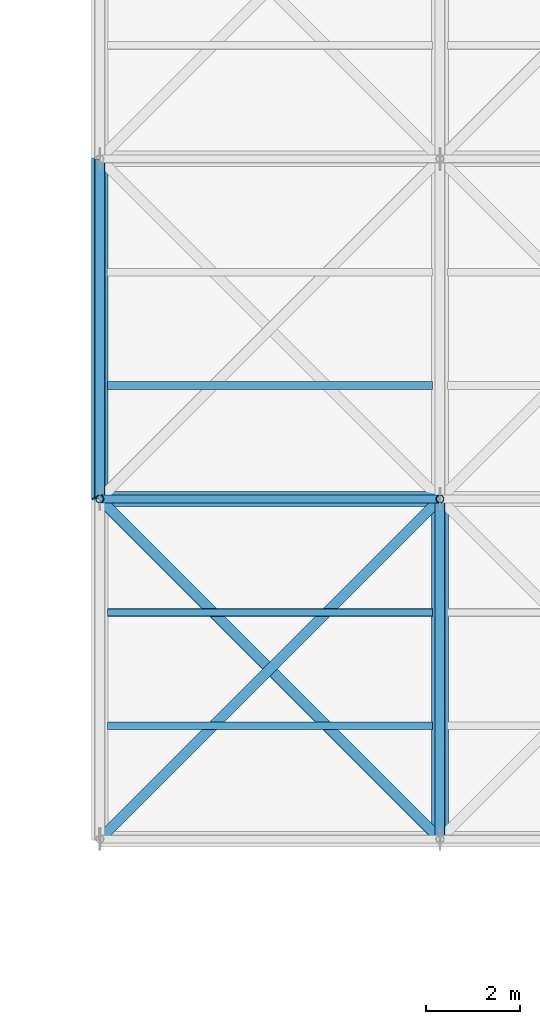
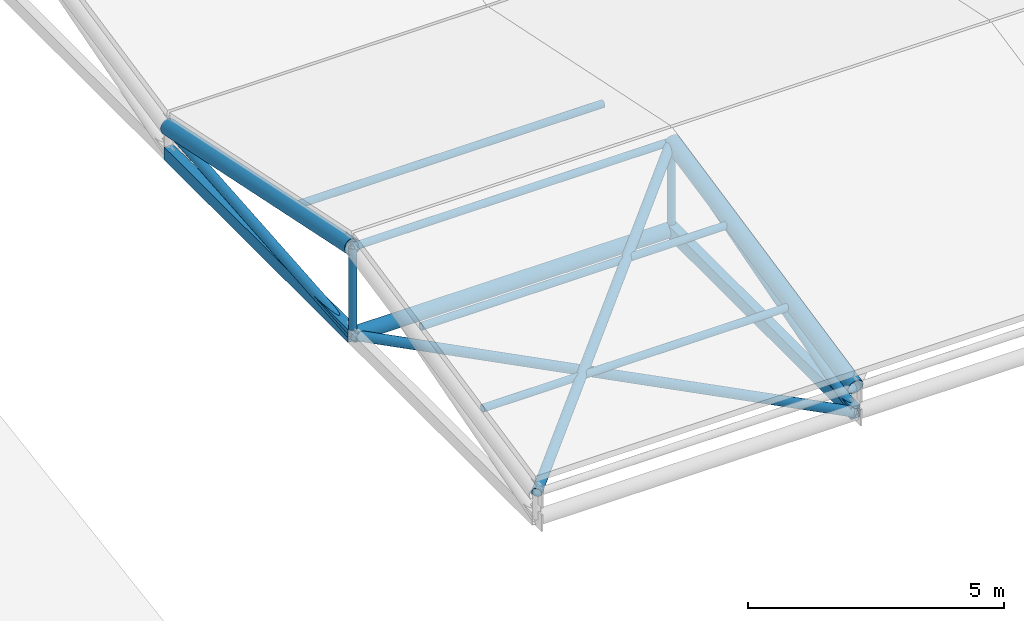
# One storey, part 17 of 72: 11 members, 4 beams.
"""IFC4 building model written with IfcOpenShell, lengths in metres."""

from ifc_helpers import new_model, si_unit, direction, frame, origin, origin_2d, place, context, subcontext, project, spatial, hollow_rectangle, hollow_circle, extrude, material, material_profile, profile_set, type_object, element, save


model = new_model("IFC4")

# Units and contexts
model_context = context("Model", 3, precision=1e-05, world=origin(), true_north=direction((0.0, 1.0)))
body_context = subcontext(model_context, "Body", "Model", "MODEL_VIEW")
ifc_project = project(units=[si_unit("LENGTHUNIT", "METRE"), si_unit("AREAUNIT", "SQUARE_METRE"), si_unit("VOLUMEUNIT", "CUBIC_METRE"), si_unit("PLANEANGLEUNIT", "RADIAN"), si_unit("MASSUNIT", "GRAM", prefix="KILO")], contexts=[model_context])

# Site, building, storey
site_placement = place(None, origin())
site = spatial("IfcSite", under=ifc_project, at=site_placement, CompositionType="ELEMENT")
building_placement = place(site_placement, origin())
building = spatial("IfcBuilding", under=site, at=building_placement, Name="Vaelcorin Mobility Hub", CompositionType="ELEMENT")
storey_placement = place(building_placement, frame((0.0, 0.0, 25.800048828125)))
storey = spatial("IfcBuildingStorey", under=building, at=storey_placement, Name="RF", CompositionType="ELEMENT", Elevation=25.800048828125)

# Members
ifc_material = material(Name="Steel ASTM A500 Grade C", Category="steel")
ifc_material_profile_1 = material_profile(ifc_material, hollow_circle(Radius=0.161865234375, WallThickness=0.0126953125, at=origin_2d()), Name="HSS12.750X0.500")
ifc_profile_set_1 = profile_set([ifc_material_profile_1], Name="Steel ASTM A500 Grade C")
member_type_1 = type_object("IfcMemberType", Name="SF-CHORD-12", PredefinedType="CHORD", material=ifc_profile_set_1)
member_1_placement = place(storey_placement, frame((43.199951171875, 91.199951171875, -2.10009765625), z_axis=(1.0, 0.0, 0.0), x_axis=(0.0, 1.0, 0.0)))
element("IfcMember", 1, at=member_1_placement, inside=storey, type_object=member_type_1, Name="Sports Truss Lower Tie Strut 2-1", PredefinedType="CHORD", context=body_context, shape_type="SweptSolid", body=[
    extrude(hollow_circle(Radius=0.161865234375, WallThickness=0.0126953125, at=origin_2d()), origin(), (0.0, 0.0, 1.0), 7.199951171875),
])
ifc_material_profile_2 = material_profile(ifc_material, hollow_circle(Radius=0.109619140625, WallThickness=0.009521484375, at=origin_2d()), Name="HSS8.625X0.375")
ifc_profile_set_2 = profile_set([ifc_material_profile_2], Name="Steel ASTM A500 Grade C")
member_type_2 = type_object("IfcMemberType", Name="SF-DIAG-8", PredefinedType="BRACE", material=ifc_profile_set_2)
member_2_placement = place(storey_placement, frame((43.199951171875, 84.0, -1.5), z_axis=(0.699556744026, 0.699556744026, 0.145741976715), x_axis=(-0.707106781187, 0.707106781187, 0.0)))
element("IfcMember", 2, at=member_2_placement, inside=storey, type_object=member_type_2, Name="Sports Roof Space-Truss Plan Brace 2-1", PredefinedType="BRACE", context=body_context, shape_type="SweptSolid", body=[
    extrude(hollow_circle(Radius=0.109619140625, WallThickness=0.009521484375, at=origin_2d()), origin(), (0.0, 0.0, 1.0), 10.292236328125),
])
member_3_placement = place(storey_placement, frame((50.39990234375, 84.0, -2.10009765625), z_axis=(-0.707106781187, 0.707106781187, 0.0), x_axis=(-0.707106781187, -0.707106781187, 0.0)))
element("IfcMember", 3, at=member_3_placement, inside=storey, type_object=member_type_2, Name="Sports Truss Lower Plan Brace 2-1", PredefinedType="BRACE", context=body_context, shape_type="SweptSolid", body=[
    extrude(hollow_circle(Radius=0.109619140625, WallThickness=0.009521484375, at=origin_2d()), origin(), (0.0, 0.0, 1.0), 10.182373046875),
])
ifc_material_profile_3 = material_profile(ifc_material, hollow_circle(Radius=0.084228515625, WallThickness=0.0078125, at=origin_2d()), Name="HSS6.625X0.312")
ifc_profile_set_3 = profile_set([ifc_material_profile_3], Name="Steel ASTM A500 Grade C")
member_type_3 = type_object("IfcMemberType", Name="SF-PURL-6", PredefinedType="PURLIN", material=ifc_profile_set_3)
member_4_placement = place(storey_placement, frame((43.199951171875, 91.199951171875, 0.0), z_axis=(1.0, 0.0, 0.0), x_axis=(0.0, 1.0, 0.0)))
element("IfcMember", 4, at=member_4_placement, inside=storey, type_object=member_type_3, Name="Sports Pavilion Roof Purlin 2-1", PredefinedType="PURLIN", context=body_context, shape_type="SweptSolid", body=[
    extrude(hollow_circle(Radius=0.084228515625, WallThickness=0.0078125, at=origin_2d()), origin(), (0.0, 0.0, 1.0), 7.199951171875),
])
for number, where, z_axis, x_axis, name in (
    (5, (43.360107421875, 86.39990234375, -1.0), (1.0, 0.0, 0.0), (0.0, 1.0, 0.0), "Sports Roof Secondary Purlin 2-1-1"),
    (6, (43.360107421875, 88.800048828125, -0.5), (1.0, 0.0, 0.0), (0.0, 1.0, 0.0), "Sports Roof Secondary Purlin 2-1-2"),
    (7, (43.360107421875, 93.60009765625, -0.5), (1.0, 0.0, 0.0), (0.0, 1.0, 0.0), "Sports Roof Secondary Purlin 2-2-1"),
):
    element("IfcMember", number, at=place(storey_placement, frame(where, z_axis=z_axis, x_axis=x_axis)), inside=storey, type_object=member_type_3, Name=name, PredefinedType="PURLIN", context=body_context, shape_type="SweptSolid", body=[
        extrude(hollow_circle(Radius=0.084228515625, WallThickness=0.0078125, at=origin_2d()), origin(), (0.0, 0.0, 1.0), 6.8798828125),
    ])

# Beams
ifc_material_profile_4 = material_profile(ifc_material, hollow_circle(Radius=0.177734375, WallThickness=0.0126953125, at=origin_2d()), Name="HSS14.000X0.500")
ifc_profile_set_4 = profile_set([ifc_material_profile_4], Name="Steel ASTM A500 Grade C")
beam_type_1 = type_object("IfcBeamType", Name="TR-CHORD-14", PredefinedType="BEAM", material=ifc_profile_set_4)
for number, where, z_axis, x_axis, name in (
    (8, (43.199951171875, 91.199951171875, 0.0), (0.0, 0.978980143565, -0.203955579738), (-1.0, 0.0, 0.0), "Sports Pavilion Roof Truss Upper Chord 1-2"),
    (9, (50.39990234375, 84.0, -1.5), (0.0, 0.978980143565, 0.203955579738), (-1.0, 0.0, 0.0), "Sports Pavilion Roof Truss Upper Chord 2-1"),
):
    element("IfcBeam", number, at=place(storey_placement, frame(where, z_axis=z_axis, x_axis=x_axis)), inside=storey, type_object=beam_type_1, Name=name, PredefinedType="BEAM", context=body_context, shape_type="SweptSolid", body=[
        extrude(hollow_circle(Radius=0.177734375, WallThickness=0.0126953125, at=origin_2d()), origin(), (0.0, 0.0, 1.0), 7.3544921875),
    ])
ifc_material_profile_5 = material_profile(ifc_material, hollow_rectangle(XDim=0.203125, YDim=0.3046875, WallThickness=0.01171875, at=origin_2d()), Name="HSS12X8X0.500")
ifc_profile_set_5 = profile_set([ifc_material_profile_5], Name="Steel ASTM A500 Grade C")
beam_type_2 = type_object("IfcBeamType", Name="TR-CHORD-RHS12", PredefinedType="BEAM", material=ifc_profile_set_5)
for number, where, z_axis, x_axis, name in (
    (10, (43.199951171875, 91.199951171875, -2.10009765625), (0.0, 1.0, 0.0), (-1.0, 0.0, 0.0), "Sports Pavilion Roof Truss Bottom Chord 1-2"),
    (11, (50.39990234375, 84.0, -2.10009765625), (0.0, 1.0, 0.0), (-1.0, 0.0, 0.0), "Sports Pavilion Roof Truss Bottom Chord 2-1"),
):
    element("IfcBeam", number, at=place(storey_placement, frame(where, z_axis=z_axis, x_axis=x_axis)), inside=storey, type_object=beam_type_2, Name=name, PredefinedType="BEAM", context=body_context, shape_type="SweptSolid", body=[
        extrude(hollow_rectangle(XDim=0.203125, YDim=0.3046875, WallThickness=0.01171875, at=origin_2d()), origin(), (0.0, 0.0, 1.0), 7.199951171875),
    ])

# Members
ifc_material_profile_6 = material_profile(ifc_material, hollow_circle(Radius=0.084228515625, WallThickness=0.0078125, at=origin_2d()), Name="HSS6.625X0.312")
ifc_profile_set_6 = profile_set([ifc_material_profile_6], Name="Steel ASTM A500 Grade C")
member_type_4 = type_object("IfcMemberType", Name="TR-POST-6", PredefinedType="POST", material=ifc_profile_set_6)
for number, where, z_axis, x_axis, name in (
    (12, (43.199951171875, 91.199951171875, -2.10009765625), (0.0, 0.0, 1.0), (1.0, 0.0, 0.0), "Sports Pavilion Roof Truss Post 1-1"),
    (13, (50.39990234375, 91.199951171875, -2.10009765625), (0.0, 0.0, 1.0), (1.0, 0.0, 0.0), "Sports Pavilion Roof Truss Post 2-1"),
):
    element("IfcMember", number, at=place(storey_placement, frame(where, z_axis=z_axis, x_axis=x_axis)), inside=storey, type_object=member_type_4, Name=name, PredefinedType="POST", context=body_context, shape_type="SweptSolid", body=[
        extrude(hollow_circle(Radius=0.084228515625, WallThickness=0.0078125, at=origin_2d()), origin(), (0.0, 0.0, 1.0), 2.10009765625),
    ])
ifc_material_profile_7 = material_profile(ifc_material, hollow_circle(Radius=0.109619140625, WallThickness=0.009521484375, at=origin_2d()), Name="HSS8.625X0.375")
ifc_profile_set_7 = profile_set([ifc_material_profile_7], Name="Steel ASTM A500 Grade C")
member_type_5 = type_object("IfcMemberType", Name="TR-WEB-8", PredefinedType="BRACE", material=ifc_profile_set_7)
member_5_placement = place(storey_placement, frame((43.199951171875, 91.199951171875, -2.10009765625), z_axis=(0.0, 0.996544592923, 0.083059462528), x_axis=(-1.0, 0.0, 0.0)))
element("IfcMember", 14, at=member_5_placement, inside=storey, type_object=member_type_5, Name="Sports Pavilion Roof Truss Diagonal 1-2", PredefinedType="BRACE", context=body_context, shape_type="SweptSolid", body=[
    extrude(hollow_circle(Radius=0.109619140625, WallThickness=0.009521484375, at=origin_2d()), origin(), (0.0, 0.0, 1.0), 7.224853515625),
])
member_6_placement = place(storey_placement, frame((50.39990234375, 84.0, -2.10009765625), z_axis=(0.0, 0.959995989474, 0.280013750007), x_axis=(-1.0, 0.0, 0.0)))
element("IfcMember", 15, at=member_6_placement, inside=storey, type_object=member_type_5, Name="Sports Pavilion Roof Truss Diagonal 2-1", PredefinedType="BRACE", context=body_context, shape_type="SweptSolid", body=[
    extrude(hollow_circle(Radius=0.109619140625, WallThickness=0.009521484375, at=origin_2d()), origin(), (0.0, 0.0, 1.0), 7.5),
])

save(model, "model.ifc")
